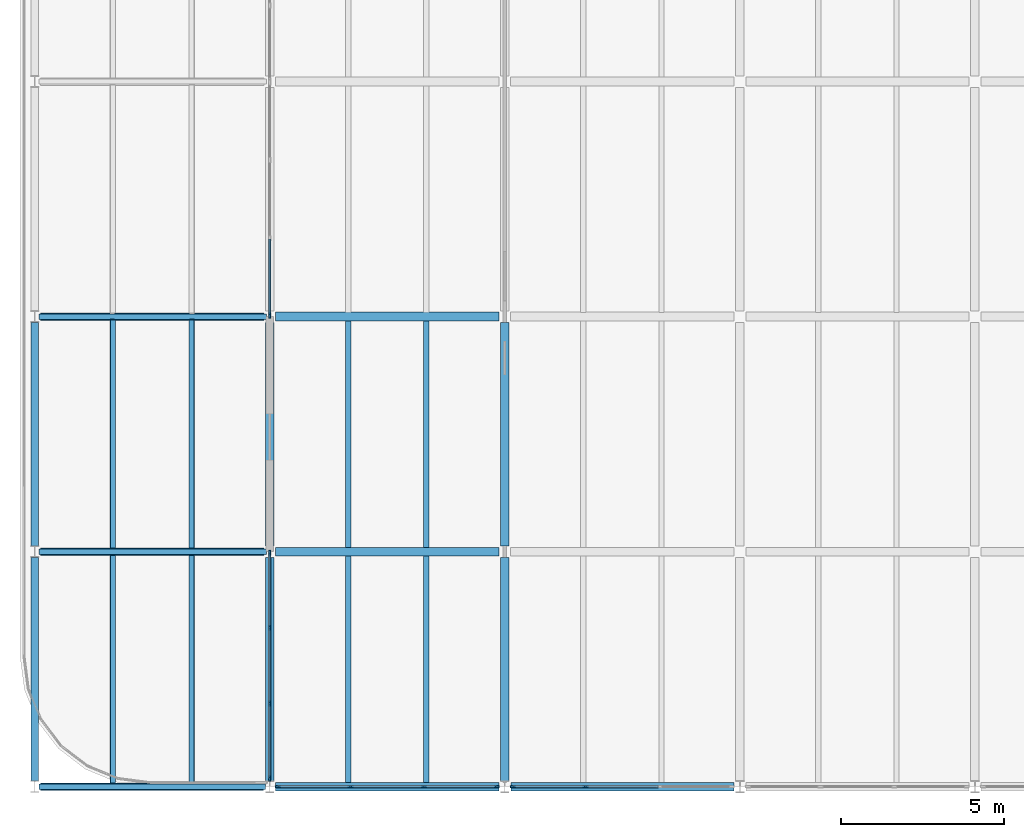
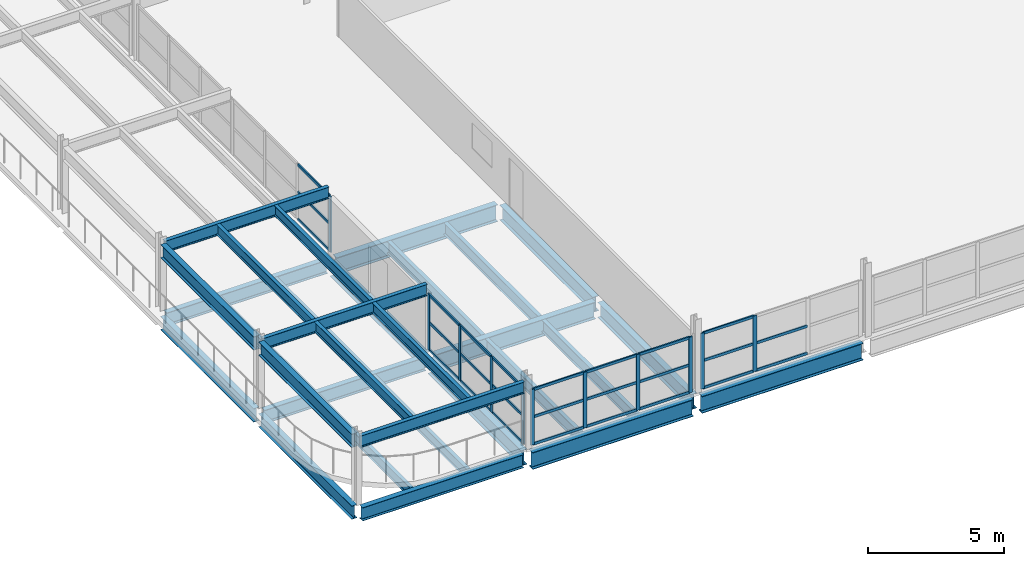
# One storey, part 6 of 25: 37 members, 30 beams, 4 elements without a shape of their own.
"""IFC4 building model written with IfcOpenShell, lengths in metres."""

from ifc_helpers import new_model, si_unit, direction, frame, origin, origin_2d, place, context, subcontext, project, spatial, rectangle, i_section, extrude, material, material_profile, profile_set, type_object, element, aggregate, save


model = new_model("IFC4")

# Units and contexts
model_context = context("Model", 3, precision=1e-05, world=origin(), true_north=direction((0.0, 1.0)))
body_context = subcontext(model_context, "Body", "Model", "MODEL_VIEW")
ifc_project = project(units=[si_unit("LENGTHUNIT", "METRE"), si_unit("AREAUNIT", "SQUARE_METRE"), si_unit("VOLUMEUNIT", "CUBIC_METRE"), si_unit("PLANEANGLEUNIT", "RADIAN"), si_unit("MASSUNIT", "GRAM", prefix="KILO")], contexts=[model_context])

# Site, building, storey
site_placement = place(None, origin())
site = spatial("IfcSite", under=ifc_project, at=site_placement, CompositionType="ELEMENT")
building_placement = place(site_placement, origin())
building = spatial("IfcBuilding", under=site, at=building_placement, Name="Vaelcorin Mobility Hub", CompositionType="ELEMENT")
storey_placement = place(building_placement, frame((0.0, 0.0, 21.0)))
storey = spatial("IfcBuildingStorey", under=building, at=storey_placement, Name="L05", CompositionType="ELEMENT", Elevation=21.0)

# Beams
ifc_material_1 = material(Name="Steel ASTM A992 Grade 50", Category="steel")
ifc_material_profile_1 = material_profile(ifc_material_1, i_section(OverallWidth=0.152099609375, OverallDepth=0.455078125, WebThickness=0.008056640625, FlangeThickness=0.01318359375, FilletRadius=0.012939453125, at=origin_2d()), Name="W18X40")
ifc_profile_set_1 = profile_set([ifc_material_profile_1], Name="Steel ASTM A992 Grade 50")
beam_type_1 = type_object("IfcBeamType", Name="BM-W18X40", PredefinedType="JOIST", material=ifc_profile_set_1)
for number, where, z_axis, x_axis, name in (
    (1, (38.39990234375, 84.112060546875, -0.447021484375), (0.0, 1.0, 0.0), (-1.0, 0.0, 0.0), "L05 Beam V3W-L05-J-01-01-1"),
    (2, (40.800048828125, 84.112060546875, -0.447021484375), (0.0, 1.0, 0.0), (-1.0, 0.0, 0.0), "L05 Beam V3W-L05-J-01-01-2"),
):
    element("IfcBeam", number, at=place(storey_placement, frame(where, z_axis=z_axis, x_axis=x_axis)), inside=storey, type_object=beam_type_1, Name=name, PredefinedType="JOIST", context=body_context, shape_type="SweptSolid", body=[
        extrude(i_section(OverallWidth=0.152099609375, OverallDepth=0.455078125, WebThickness=0.008056640625, FlangeThickness=0.01318359375, FilletRadius=0.012939453125, at=origin_2d()), origin(), (0.0, 0.0, 1.0), 6.975830078125),
    ])
for number, where, z_axis, x_axis, name in (
    (3, (38.39990234375, 91.31201171875, -0.447021484375), (0.0, 1.0, 0.0), (-1.0, 0.0, 0.0), "L05 Beam V3W-L05-J-01-02-1"),
    (4, (40.800048828125, 91.31201171875, -0.447021484375), (0.0, 1.0, 0.0), (-1.0, 0.0, 0.0), "L05 Beam V3W-L05-J-01-02-2"),
):
    element("IfcBeam", number, at=place(storey_placement, frame(where, z_axis=z_axis, x_axis=x_axis)), inside=storey, type_object=beam_type_1, Name=name, PredefinedType="JOIST", context=body_context, shape_type="SweptSolid", body=[
        extrude(i_section(OverallWidth=0.152099609375, OverallDepth=0.455078125, WebThickness=0.008056640625, FlangeThickness=0.01318359375, FilletRadius=0.012939453125, at=origin_2d()), origin(), (0.0, 0.0, 1.0), 6.97607421875),
    ])
for number, where, z_axis, x_axis, name in (
    (5, (38.3759765625, 84.0810546875, 2.77197265625), (0.0, 1.0, 0.0), (-1.0, 0.0, 0.0), "L05 Beam V3-PERG-J-W-01-1"),
    (6, (40.823974609375, 84.0810546875, 2.77197265625), (0.0, 1.0, 0.0), (-1.0, 0.0, 0.0), "L05 Beam V3-PERG-J-W-01-2"),
):
    element("IfcBeam", number, at=place(storey_placement, frame(where, z_axis=z_axis, x_axis=x_axis)), inside=storey, type_object=beam_type_1, Name=name, PredefinedType="JOIST", context=body_context, shape_type="SweptSolid", body=[
        extrude(i_section(OverallWidth=0.152099609375, OverallDepth=0.455078125, WebThickness=0.008056640625, FlangeThickness=0.01318359375, FilletRadius=0.012939453125, at=origin_2d()), origin(), (0.0, 0.0, 1.0), 7.037841796875),
    ])
for number, where, z_axis, x_axis, name in (
    (7, (38.3759765625, 91.281005859375, 2.77197265625), (0.0, 1.0, 0.0), (-1.0, 0.0, 0.0), "L05 Beam V3-PERG-J-W-02-1"),
    (8, (40.823974609375, 91.281005859375, 2.77197265625), (0.0, 1.0, 0.0), (-1.0, 0.0, 0.0), "L05 Beam V3-PERG-J-W-02-2"),
):
    element("IfcBeam", number, at=place(storey_placement, frame(where, z_axis=z_axis, x_axis=x_axis)), inside=storey, type_object=beam_type_1, Name=name, PredefinedType="JOIST", context=body_context, shape_type="SweptSolid", body=[
        extrude(i_section(OverallWidth=0.152099609375, OverallDepth=0.455078125, WebThickness=0.008056640625, FlangeThickness=0.01318359375, FilletRadius=0.012939453125, at=origin_2d()), origin(), (0.0, 0.0, 1.0), 7.0380859375),
    ])
ifc_material_profile_2 = material_profile(ifc_material_1, i_section(OverallWidth=0.166015625, OverallDepth=0.528076171875, WebThickness=0.009765625, FlangeThickness=0.013671875, FilletRadius=0.013916015625, at=origin_2d()), Name="W21X50")
ifc_profile_set_2 = profile_set([ifc_material_profile_2], Name="Steel ASTM A992 Grade 50")
beam_type_2 = type_object("IfcBeamType", Name="BM-W21X50", PredefinedType="JOIST", material=ifc_profile_set_2)
for number, where, z_axis, x_axis, name in (
    (9, (45.60009765625, 84.132080078125, -0.52392578125), (0.0, 1.0, 0.0), (-1.0, 0.0, 0.0), "L05 Beam V3-L05-J-01-01-1"),
    (10, (48.0, 84.132080078125, -0.52392578125), (0.0, 1.0, 0.0), (-1.0, 0.0, 0.0), "L05 Beam V3-L05-J-01-01-2"),
    (11, (45.60009765625, 91.33203125, -0.52392578125), (0.0, 1.0, 0.0), (-1.0, 0.0, 0.0), "L05 Beam V3-L05-J-01-02-1"),
    (12, (48.0, 91.33203125, -0.52392578125), (0.0, 1.0, 0.0), (-1.0, 0.0, 0.0), "L05 Beam V3-L05-J-01-02-2"),
):
    element("IfcBeam", number, at=place(storey_placement, frame(where, z_axis=z_axis, x_axis=x_axis)), inside=storey, type_object=beam_type_2, Name=name, PredefinedType="JOIST", context=body_context, shape_type="SweptSolid", body=[
        extrude(i_section(OverallWidth=0.166015625, OverallDepth=0.528076171875, WebThickness=0.009765625, FlangeThickness=0.013671875, FilletRadius=0.013916015625, at=origin_2d()), origin(), (0.0, 0.0, 1.0), 6.93603515625),
    ])
beam_1_placement = place(storey_placement, frame((36.125, 84.0, 2.736083984375), z_axis=(1.0, 0.0, 0.0), x_axis=(0.0, 1.0, 0.0)))
element("IfcBeam", 13, at=beam_1_placement, inside=storey, type_object=beam_type_2, Name="L05 Beam V3-PERG-GX-01-00", PredefinedType="JOIST", context=body_context, shape_type="SweptSolid", body=[
    extrude(i_section(OverallWidth=0.166015625, OverallDepth=0.528076171875, WebThickness=0.009765625, FlangeThickness=0.013671875, FilletRadius=0.013916015625, at=origin_2d()), origin(), (0.0, 0.0, 1.0), 6.948974609375),
])
for number, where, z_axis, x_axis, name in (
    (14, (36.125, 91.199951171875, 2.736083984375), (1.0, 0.0, 0.0), (0.0, 1.0, 0.0), "L05 Beam V3-PERG-GX-01-01"),
    (15, (36.125, 98.39990234375, 2.736083984375), (1.0, 0.0, 0.0), (0.0, 1.0, 0.0), "L05 Beam V3-PERG-GX-01-02"),
):
    element("IfcBeam", number, at=place(storey_placement, frame(where, z_axis=z_axis, x_axis=x_axis)), inside=storey, type_object=beam_type_2, Name=name, PredefinedType="JOIST", context=body_context, shape_type="SweptSolid", body=[
        extrude(i_section(OverallWidth=0.166015625, OverallDepth=0.528076171875, WebThickness=0.009765625, FlangeThickness=0.013671875, FilletRadius=0.013916015625, at=origin_2d()), origin(), (0.0, 0.0, 1.0), 6.97509765625),
    ])
ifc_material_profile_3 = material_profile(ifc_material_1, i_section(OverallWidth=0.22802734375, OverallDepth=0.60205078125, WebThickness=0.010498046875, FlangeThickness=0.014892578125, FilletRadius=0.014892578125, at=origin_2d()), Name="W24X68")
ifc_profile_set_3 = profile_set([ifc_material_profile_3], Name="Steel ASTM A992 Grade 50")
beam_type_3 = type_object("IfcBeamType", Name="BM-W24X68", PredefinedType="SPANDREL", material=ifc_profile_set_3)
beam_2_placement = place(storey_placement, frame((36.18408203125, 84.0, -0.52099609375), z_axis=(1.0, 0.0, 0.0), x_axis=(0.0, 1.0, 0.0)))
element("IfcBeam", 16, at=beam_2_placement, inside=storey, type_object=beam_type_3, Name="L05 Beam V3W-L05-GX-01-01", PredefinedType="SPANDREL", context=body_context, shape_type="SweptSolid", body=[
    extrude(i_section(OverallWidth=0.22802734375, OverallDepth=0.60205078125, WebThickness=0.010498046875, FlangeThickness=0.014892578125, FilletRadius=0.014892578125, at=origin_2d()), origin(), (0.0, 0.0, 1.0), 6.83203125),
])
beam_3_placement = place(storey_placement, frame((36.0, 84.179931640625, -0.52099609375), z_axis=(0.0, 1.0, 0.0), x_axis=(-1.0, 0.0, 0.0)))
element("IfcBeam", 17, at=beam_3_placement, inside=storey, type_object=beam_type_3, Name="L05 Beam V3W-L05-GY-01-01", PredefinedType="SPANDREL", context=body_context, shape_type="SweptSolid", body=[
    extrude(i_section(OverallWidth=0.22802734375, OverallDepth=0.60205078125, WebThickness=0.010498046875, FlangeThickness=0.014892578125, FilletRadius=0.014892578125, at=origin_2d()), origin(), (0.0, 0.0, 1.0), 6.843994140625),
])
beam_4_placement = place(storey_placement, frame((36.0, 91.3759765625, -0.52099609375), z_axis=(0.0, 1.0, 0.0), x_axis=(-1.0, 0.0, 0.0)))
element("IfcBeam", 18, at=beam_4_placement, inside=storey, type_object=beam_type_3, Name="L05 Beam V3W-L05-GY-01-02", PredefinedType="SPANDREL", context=body_context, shape_type="SweptSolid", body=[
    extrude(i_section(OverallWidth=0.22802734375, OverallDepth=0.60205078125, WebThickness=0.010498046875, FlangeThickness=0.014892578125, FilletRadius=0.014892578125, at=origin_2d()), origin(), (0.0, 0.0, 1.0), 6.84814453125),
])
beam_5_placement = place(storey_placement, frame((36.0, 84.176025390625, 2.698974609375), z_axis=(0.0, 1.0, 0.0), x_axis=(-1.0, 0.0, 0.0)))
element("IfcBeam", 19, at=beam_5_placement, inside=storey, type_object=beam_type_3, Name="L05 Beam V3-PERG-GY-W-01", PredefinedType="SPANDREL", context=body_context, shape_type="SweptSolid", body=[
    extrude(i_section(OverallWidth=0.22802734375, OverallDepth=0.60205078125, WebThickness=0.010498046875, FlangeThickness=0.014892578125, FilletRadius=0.014892578125, at=origin_2d()), origin(), (0.0, 0.0, 1.0), 6.847900390625),
])
beam_6_placement = place(storey_placement, frame((36.0, 91.3759765625, 2.698974609375), z_axis=(0.0, 1.0, 0.0), x_axis=(-1.0, 0.0, 0.0)))
element("IfcBeam", 20, at=beam_6_placement, inside=storey, type_object=beam_type_3, Name="L05 Beam V3-PERG-GY-W-02", PredefinedType="SPANDREL", context=body_context, shape_type="SweptSolid", body=[
    extrude(i_section(OverallWidth=0.22802734375, OverallDepth=0.60205078125, WebThickness=0.010498046875, FlangeThickness=0.014892578125, FilletRadius=0.014892578125, at=origin_2d()), origin(), (0.0, 0.0, 1.0), 6.84814453125),
])
ifc_material_profile_4 = material_profile(ifc_material_1, i_section(OverallWidth=0.22900390625, OverallDepth=0.612060546875, WebThickness=0.011962890625, FlangeThickness=0.01953125, FilletRadius=0.014892578125, at=origin_2d()), Name="W24X84")
ifc_profile_set_4 = profile_set([ifc_material_profile_4], Name="Steel ASTM A992 Grade 50")
beam_type_4 = type_object("IfcBeamType", Name="BM-W24X84", PredefinedType="BEAM", material=ifc_profile_set_4)
for number, where, z_axis, x_axis, name in (
    (21, (36.181884765625, 91.199951171875, -0.52587890625), (1.0, 0.0, 0.0), (0.0, 1.0, 0.0), "L05 Beam V3W-L05-GX-02-01"),
    (22, (36.181884765625, 98.39990234375, -0.52587890625), (1.0, 0.0, 0.0), (0.0, 1.0, 0.0), "L05 Beam V3W-L05-GX-03-01"),
):
    element("IfcBeam", number, at=place(storey_placement, frame(where, z_axis=z_axis, x_axis=x_axis)), inside=storey, type_object=beam_type_4, Name=name, PredefinedType="BEAM", context=body_context, shape_type="SweptSolid", body=[
        extrude(i_section(OverallWidth=0.22900390625, OverallDepth=0.612060546875, WebThickness=0.011962890625, FlangeThickness=0.01953125, FilletRadius=0.014892578125, at=origin_2d()), origin(), (0.0, 0.0, 1.0), 6.836181640625),
    ])
ifc_material_profile_5 = material_profile(ifc_material_1, i_section(OverallWidth=0.25390625, OverallDepth=0.68310546875, WebThickness=0.012451171875, FlangeThickness=0.018798828125, FilletRadius=0.01611328125, at=origin_2d()), Name="W27X94")
ifc_profile_set_5 = profile_set([ifc_material_profile_5], Name="Steel ASTM A992 Grade 50")
beam_type_5 = type_object("IfcBeamType", Name="BM-W27X94", PredefinedType="BEAM", material=ifc_profile_set_5)
beam_7_placement = place(storey_placement, frame((43.199951171875, 84.179931640625, -0.60205078125), z_axis=(0.0, 1.0, 0.0), x_axis=(-1.0, 0.0, 0.0)))
element("IfcBeam", 23, at=beam_7_placement, inside=storey, type_object=beam_type_5, Name="L05 Beam V3-L05-GY-01-01", PredefinedType="BEAM", context=body_context, shape_type="SweptSolid", body=[
    extrude(i_section(OverallWidth=0.25390625, OverallDepth=0.68310546875, WebThickness=0.012451171875, FlangeThickness=0.018798828125, FilletRadius=0.01611328125, at=origin_2d()), origin(), (0.0, 0.0, 1.0), 6.843994140625),
])
beam_8_placement = place(storey_placement, frame((43.199951171875, 91.3759765625, -0.60205078125), z_axis=(0.0, 1.0, 0.0), x_axis=(-1.0, 0.0, 0.0)))
element("IfcBeam", 24, at=beam_8_placement, inside=storey, type_object=beam_type_5, Name="L05 Beam V3-L05-GY-01-02", PredefinedType="BEAM", context=body_context, shape_type="SweptSolid", body=[
    extrude(i_section(OverallWidth=0.25390625, OverallDepth=0.68310546875, WebThickness=0.012451171875, FlangeThickness=0.018798828125, FilletRadius=0.01611328125, at=origin_2d()), origin(), (0.0, 0.0, 1.0), 6.84814453125),
])
beam_9_placement = place(storey_placement, frame((50.39990234375, 84.179931640625, -0.60205078125), z_axis=(0.0, 1.0, 0.0), x_axis=(-1.0, 0.0, 0.0)))
element("IfcBeam", 25, at=beam_9_placement, inside=storey, type_object=beam_type_5, Name="L05 Beam V3-L05-GY-02-01", PredefinedType="BEAM", context=body_context, shape_type="SweptSolid", body=[
    extrude(i_section(OverallWidth=0.25390625, OverallDepth=0.68310546875, WebThickness=0.012451171875, FlangeThickness=0.018798828125, FilletRadius=0.01611328125, at=origin_2d()), origin(), (0.0, 0.0, 1.0), 6.843994140625),
])
beam_10_placement = place(storey_placement, frame((50.39990234375, 91.3759765625, -0.60205078125), z_axis=(0.0, 1.0, 0.0), x_axis=(-1.0, 0.0, 0.0)))
element("IfcBeam", 26, at=beam_10_placement, inside=storey, type_object=beam_type_5, Name="L05 Beam V3-L05-GY-02-02", PredefinedType="BEAM", context=body_context, shape_type="SweptSolid", body=[
    extrude(i_section(OverallWidth=0.25390625, OverallDepth=0.68310546875, WebThickness=0.012451171875, FlangeThickness=0.018798828125, FilletRadius=0.01611328125, at=origin_2d()), origin(), (0.0, 0.0, 1.0), 6.84814453125),
])
ifc_material_profile_6 = material_profile(ifc_material_1, i_section(OverallWidth=0.26708984375, OverallDepth=0.757080078125, WebThickness=0.013916015625, FlangeThickness=0.019287109375, FilletRadius=0.01708984375, at=origin_2d()), Name="W30X108")
ifc_profile_set_6 = profile_set([ifc_material_profile_6], Name="Steel ASTM A992 Grade 50")
beam_type_6 = type_object("IfcBeamType", Name="BM-W30X108", PredefinedType="BEAM", material=ifc_profile_set_6)
for number, where, z_axis, x_axis, name in (
    (27, (43.384033203125, 84.0, -0.637939453125), (1.0, 0.0, 0.0), (0.0, 1.0, 0.0), "L05 Beam V3-L05-GX-01-01"),
    (28, (50.583984375, 84.0, -0.637939453125), (1.0, 0.0, 0.0), (0.0, 1.0, 0.0), "L05 Beam V3-L05-GX-01-02"),
):
    element("IfcBeam", number, at=place(storey_placement, frame(where, z_axis=z_axis, x_axis=x_axis)), inside=storey, type_object=beam_type_6, Name=name, PredefinedType="BEAM", context=body_context, shape_type="SweptSolid", body=[
        extrude(i_section(OverallWidth=0.26708984375, OverallDepth=0.757080078125, WebThickness=0.013916015625, FlangeThickness=0.019287109375, FilletRadius=0.01708984375, at=origin_2d()), origin(), (0.0, 0.0, 1.0), 6.83203125),
    ])
for number, where, z_axis, x_axis, name in (
    (29, (43.382080078125, 91.199951171875, -0.637939453125), (1.0, 0.0, 0.0), (0.0, 1.0, 0.0), "L05 Beam V3-L05-GX-02-01"),
    (30, (43.382080078125, 98.39990234375, -0.637939453125), (1.0, 0.0, 0.0), (0.0, 1.0, 0.0), "L05 Beam V3-L05-GX-03-01"),
):
    element("IfcBeam", number, at=place(storey_placement, frame(where, z_axis=z_axis, x_axis=x_axis)), inside=storey, type_object=beam_type_6, Name=name, PredefinedType="BEAM", context=body_context, shape_type="SweptSolid", body=[
        extrude(i_section(OverallWidth=0.26708984375, OverallDepth=0.757080078125, WebThickness=0.013916015625, FlangeThickness=0.019287109375, FilletRadius=0.01708984375, at=origin_2d()), origin(), (0.0, 0.0, 1.0), 6.8359375),
    ])

# Curtain wall, members
ifc_material_2 = material(Name="Anodised aluminium 6063-T6", Category="aluminium")
curtain_wall_type = type_object("IfcCurtainWallType", Name="CW-SPT-A", PredefinedType="NOTDEFINED", material=ifc_material_2)
curtain_wall_1_placement = place(storey_placement, origin())
curtain_wall_1 = element("IfcCurtainWall", 31, at=curtain_wall_1_placement, inside=storey, type_object=curtain_wall_type, Name="L05 Curtain Wall CW-V3-S-01", PredefinedType="NOTDEFINED")
ifc_material_profile_7 = material_profile(ifc_material_2, rectangle(XDim=0.06005859375, YDim=0.159912109375, at=origin_2d()), Name="ALU-M60X160")
ifc_profile_set_7 = profile_set([ifc_material_profile_7], Name="Anodised aluminium 6063-T6")
member_type_1 = type_object("IfcMemberType", Name="CW-MULL-160", PredefinedType="MULLION", material=ifc_profile_set_7)
member_1_placement = place(storey_placement, frame((50.14990234375, 84.0, 0.0), z_axis=(0.0, 0.0, 1.0), x_axis=(0.0, -1.0, 0.0)))
member_1 = element("IfcMember", 32, at=member_1_placement, type_object=member_type_1, Name="CW5 mullion 1", PredefinedType="MULLION", context=body_context, shape_type="SweptSolid", body=[
    extrude(rectangle(XDim=0.06005859375, YDim=0.159912109375, at=origin_2d()), origin(), (0.0, 0.0, 1.0), 2.5),
])
member_2_placement = place(storey_placement, frame((47.9267578125, 84.0, 0.0), z_axis=(0.0, 0.0, 1.0), x_axis=(0.0, -1.0, 0.0)))
member_2 = element("IfcMember", 33, at=member_2_placement, type_object=member_type_1, Name="CW5 mullion 2", PredefinedType="MULLION", context=body_context, shape_type="SweptSolid", body=[
    extrude(rectangle(XDim=0.06005859375, YDim=0.159912109375, at=origin_2d()), origin(), (0.0, 0.0, 1.0), 2.5),
])
member_3_placement = place(storey_placement, frame((45.67333984375, 84.0, 0.0), z_axis=(0.0, 0.0, 1.0), x_axis=(0.0, -1.0, 0.0)))
member_3 = element("IfcMember", 34, at=member_3_placement, type_object=member_type_1, Name="CW5 mullion 3", PredefinedType="MULLION", context=body_context, shape_type="SweptSolid", body=[
    extrude(rectangle(XDim=0.06005859375, YDim=0.159912109375, at=origin_2d()), origin(), (0.0, 0.0, 1.0), 2.5),
])
member_4_placement = place(storey_placement, frame((43.449951171875, 84.0, 0.0), z_axis=(0.0, 0.0, 1.0), x_axis=(0.0, -1.0, 0.0)))
member_4 = element("IfcMember", 35, at=member_4_placement, type_object=member_type_1, Name="CW5 mullion 4", PredefinedType="MULLION", context=body_context, shape_type="SweptSolid", body=[
    extrude(rectangle(XDim=0.06005859375, YDim=0.159912109375, at=origin_2d()), origin(), (0.0, 0.0, 1.0), 2.5),
])

curtain_wall_2_placement = place(storey_placement, origin())
curtain_wall_2 = element("IfcCurtainWall", 36, at=curtain_wall_2_placement, inside=storey, type_object=curtain_wall_type, Name="L05 Curtain Wall CW-V3-S-02", PredefinedType="NOTDEFINED")
member_5_placement = place(storey_placement, frame((52.873291015625, 84.0, 0.0), z_axis=(0.0, 0.0, 1.0), x_axis=(0.0, -1.0, 0.0)))
member_5 = element("IfcMember", 37, at=member_5_placement, type_object=member_type_1, Name="CW5 mullion 3", PredefinedType="MULLION", context=body_context, shape_type="SweptSolid", body=[
    extrude(rectangle(XDim=0.06005859375, YDim=0.159912109375, at=origin_2d()), origin(), (0.0, 0.0, 1.0), 2.5),
])
member_6_placement = place(storey_placement, frame((50.64990234375, 84.0, 0.0), z_axis=(0.0, 0.0, 1.0), x_axis=(0.0, -1.0, 0.0)))
member_6 = element("IfcMember", 38, at=member_6_placement, type_object=member_type_1, Name="CW5 mullion 4", PredefinedType="MULLION", context=body_context, shape_type="SweptSolid", body=[
    extrude(rectangle(XDim=0.06005859375, YDim=0.159912109375, at=origin_2d()), origin(), (0.0, 0.0, 1.0), 2.5),
])

curtain_wall_3_placement = place(storey_placement, origin())
curtain_wall_3 = element("IfcCurtainWall", 39, at=curtain_wall_3_placement, inside=storey, type_object=curtain_wall_type, Name="L05 Curtain Wall CW-V3-W-01", PredefinedType="NOTDEFINED")
member_7_placement = place(storey_placement, frame((43.199951171875, 84.25, 0.0), z_axis=(0.0, 0.0, 1.0), x_axis=(-1.0, 0.0, 0.0)))
member_7 = element("IfcMember", 40, at=member_7_placement, type_object=member_type_1, Name="CW5 mullion 1", PredefinedType="MULLION", context=body_context, shape_type="SweptSolid", body=[
    extrude(rectangle(XDim=0.06005859375, YDim=0.159912109375, at=origin_2d()), origin(), (0.0, 0.0, 1.0), 2.5),
])
member_8_placement = place(storey_placement, frame((43.199951171875, 86.5458984375, 0.0), z_axis=(0.0, 0.0, 1.0), x_axis=(-1.0, 0.0, 0.0)))
member_8 = element("IfcMember", 41, at=member_8_placement, type_object=member_type_1, Name="CW5 mullion 2", PredefinedType="MULLION", context=body_context, shape_type="SweptSolid", body=[
    extrude(rectangle(XDim=0.06005859375, YDim=0.159912109375, at=origin_2d()), origin(), (0.0, 0.0, 1.0), 2.5),
])
member_9_placement = place(storey_placement, frame((43.199951171875, 88.8720703125, 0.0), z_axis=(0.0, 0.0, 1.0), x_axis=(-1.0, 0.0, 0.0)))
member_9 = element("IfcMember", 42, at=member_9_placement, type_object=member_type_1, Name="CW5 mullion 3", PredefinedType="MULLION", context=body_context, shape_type="SweptSolid", body=[
    extrude(rectangle(XDim=0.06005859375, YDim=0.159912109375, at=origin_2d()), origin(), (0.0, 0.0, 1.0), 2.5),
])
member_10_placement = place(storey_placement, frame((43.199951171875, 91.16796875, 0.0), z_axis=(0.0, 0.0, 1.0), x_axis=(-1.0, 0.0, 0.0)))
member_10 = element("IfcMember", 43, at=member_10_placement, type_object=member_type_1, Name="CW5 mullion 4", PredefinedType="MULLION", context=body_context, shape_type="SweptSolid", body=[
    extrude(rectangle(XDim=0.06005859375, YDim=0.159912109375, at=origin_2d()), origin(), (0.0, 0.0, 1.0), 2.5),
])

# Curtain wall, member
curtain_wall_4_placement = place(storey_placement, origin())
curtain_wall_4 = element("IfcCurtainWall", 44, at=curtain_wall_4_placement, inside=storey, type_object=curtain_wall_type, Name="L05 Curtain Wall CW-V3-W-03", PredefinedType="NOTDEFINED")
member_11_placement = place(storey_placement, frame((43.199951171875, 98.431884765625, 0.0), z_axis=(0.0, 0.0, 1.0), x_axis=(-1.0, 0.0, 0.0)))
member_11 = element("IfcMember", 45, at=member_11_placement, type_object=member_type_1, Name="CW5 mullion 1", PredefinedType="MULLION", context=body_context, shape_type="SweptSolid", body=[
    extrude(rectangle(XDim=0.06005859375, YDim=0.159912109375, at=origin_2d()), origin(), (0.0, 0.0, 1.0), 2.5),
])

# Member
ifc_material_profile_8 = material_profile(ifc_material_2, rectangle(XDim=0.06005859375, YDim=0.1201171875, at=origin_2d()), Name="ALU-T60X120")
ifc_profile_set_8 = profile_set([ifc_material_profile_8], Name="Anodised aluminium 6063-T6")
member_type_2 = type_object("IfcMemberType", Name="CW-TRAN-140", PredefinedType="USERDEFINED", material=ifc_profile_set_8)
member_12_placement = place(storey_placement, frame((50.1201171875, 84.0, 0.030029296875), z_axis=(-1.0, 0.0, 0.0), x_axis=(0.0, -1.0, 0.0)))
member_12 = element("IfcMember", 46, at=member_12_placement, type_object=member_type_2, Name="CW5 transom 1.1", ObjectType="TRANSOM", PredefinedType="USERDEFINED", context=body_context, shape_type="SweptSolid", body=[
    extrude(rectangle(XDim=0.06005859375, YDim=0.1201171875, at=origin_2d()), origin(), (0.0, 0.0, 1.0), 2.163330078125),
])

member_13_placement = place(storey_placement, frame((50.1201171875, 84.0, 1.25), z_axis=(-1.0, 0.0, 0.0), x_axis=(0.0, -1.0, 0.0)))
member_13 = element("IfcMember", 47, at=member_13_placement, type_object=member_type_2, Name="CW5 transom 1.2", ObjectType="TRANSOM", PredefinedType="USERDEFINED", context=body_context, shape_type="SweptSolid", body=[
    extrude(rectangle(XDim=0.06005859375, YDim=0.1201171875, at=origin_2d()), origin(), (0.0, 0.0, 1.0), 2.163330078125),
])

member_14_placement = place(storey_placement, frame((50.1201171875, 84.0, 2.469970703125), z_axis=(-1.0, 0.0, 0.0), x_axis=(0.0, -1.0, 0.0)))
member_14 = element("IfcMember", 48, at=member_14_placement, type_object=member_type_2, Name="CW5 transom 1.3", ObjectType="TRANSOM", PredefinedType="USERDEFINED", context=body_context, shape_type="SweptSolid", body=[
    extrude(rectangle(XDim=0.06005859375, YDim=0.1201171875, at=origin_2d()), origin(), (0.0, 0.0, 1.0), 2.163330078125),
])

member_15_placement = place(storey_placement, frame((47.896728515625, 84.0, 0.030029296875), z_axis=(-1.0, 0.0, 0.0), x_axis=(0.0, -1.0, 0.0)))
member_15 = element("IfcMember", 49, at=member_15_placement, type_object=member_type_2, Name="CW5 transom 2.1", ObjectType="TRANSOM", PredefinedType="USERDEFINED", context=body_context, shape_type="SweptSolid", body=[
    extrude(rectangle(XDim=0.06005859375, YDim=0.1201171875, at=origin_2d()), origin(), (0.0, 0.0, 1.0), 2.193359375),
])

member_16_placement = place(storey_placement, frame((47.896728515625, 84.0, 1.25), z_axis=(-1.0, 0.0, 0.0), x_axis=(0.0, -1.0, 0.0)))
member_16 = element("IfcMember", 50, at=member_16_placement, type_object=member_type_2, Name="CW5 transom 2.2", ObjectType="TRANSOM", PredefinedType="USERDEFINED", context=body_context, shape_type="SweptSolid", body=[
    extrude(rectangle(XDim=0.06005859375, YDim=0.1201171875, at=origin_2d()), origin(), (0.0, 0.0, 1.0), 2.193359375),
])

member_17_placement = place(storey_placement, frame((47.896728515625, 84.0, 2.469970703125), z_axis=(-1.0, 0.0, 0.0), x_axis=(0.0, -1.0, 0.0)))
member_17 = element("IfcMember", 51, at=member_17_placement, type_object=member_type_2, Name="CW5 transom 2.3", ObjectType="TRANSOM", PredefinedType="USERDEFINED", context=body_context, shape_type="SweptSolid", body=[
    extrude(rectangle(XDim=0.06005859375, YDim=0.1201171875, at=origin_2d()), origin(), (0.0, 0.0, 1.0), 2.193359375),
])

member_18_placement = place(storey_placement, frame((45.643310546875, 84.0, 0.030029296875), z_axis=(-1.0, 0.0, 0.0), x_axis=(0.0, -1.0, 0.0)))
member_18 = element("IfcMember", 52, at=member_18_placement, type_object=member_type_2, Name="CW5 transom 3.1", ObjectType="TRANSOM", PredefinedType="USERDEFINED", context=body_context, shape_type="SweptSolid", body=[
    extrude(rectangle(XDim=0.06005859375, YDim=0.1201171875, at=origin_2d()), origin(), (0.0, 0.0, 1.0), 2.163330078125),
])

member_19_placement = place(storey_placement, frame((45.643310546875, 84.0, 1.25), z_axis=(-1.0, 0.0, 0.0), x_axis=(0.0, -1.0, 0.0)))
member_19 = element("IfcMember", 53, at=member_19_placement, type_object=member_type_2, Name="CW5 transom 3.2", ObjectType="TRANSOM", PredefinedType="USERDEFINED", context=body_context, shape_type="SweptSolid", body=[
    extrude(rectangle(XDim=0.06005859375, YDim=0.1201171875, at=origin_2d()), origin(), (0.0, 0.0, 1.0), 2.163330078125),
])

member_20_placement = place(storey_placement, frame((45.643310546875, 84.0, 2.469970703125), z_axis=(-1.0, 0.0, 0.0), x_axis=(0.0, -1.0, 0.0)))
member_20 = element("IfcMember", 54, at=member_20_placement, type_object=member_type_2, Name="CW5 transom 3.3", ObjectType="TRANSOM", PredefinedType="USERDEFINED", context=body_context, shape_type="SweptSolid", body=[
    extrude(rectangle(XDim=0.06005859375, YDim=0.1201171875, at=origin_2d()), origin(), (0.0, 0.0, 1.0), 2.163330078125),
])

aggregate(curtain_wall_1, [member_1, member_2, member_3, member_4, member_12, member_13, member_14, member_15, member_16, member_17, member_18, member_19, member_20])

member_21_placement = place(storey_placement, frame((55.0966796875, 84.0, 0.030029296875), z_axis=(-1.0, 0.0, 0.0), x_axis=(0.0, -1.0, 0.0)))
member_21 = element("IfcMember", 55, at=member_21_placement, type_object=member_type_2, Name="CW5 transom 2.1", ObjectType="TRANSOM", PredefinedType="USERDEFINED", context=body_context, shape_type="SweptSolid", body=[
    extrude(rectangle(XDim=0.06005859375, YDim=0.1201171875, at=origin_2d()), origin(), (0.0, 0.0, 1.0), 2.193359375),
])

member_22_placement = place(storey_placement, frame((55.0966796875, 84.0, 1.25), z_axis=(-1.0, 0.0, 0.0), x_axis=(0.0, -1.0, 0.0)))
member_22 = element("IfcMember", 56, at=member_22_placement, type_object=member_type_2, Name="CW5 transom 2.2", ObjectType="TRANSOM", PredefinedType="USERDEFINED", context=body_context, shape_type="SweptSolid", body=[
    extrude(rectangle(XDim=0.06005859375, YDim=0.1201171875, at=origin_2d()), origin(), (0.0, 0.0, 1.0), 2.193359375),
])

member_23_placement = place(storey_placement, frame((52.84326171875, 84.0, 0.030029296875), z_axis=(-1.0, 0.0, 0.0), x_axis=(0.0, -1.0, 0.0)))
member_23 = element("IfcMember", 57, at=member_23_placement, type_object=member_type_2, Name="CW5 transom 3.1", ObjectType="TRANSOM", PredefinedType="USERDEFINED", context=body_context, shape_type="SweptSolid", body=[
    extrude(rectangle(XDim=0.06005859375, YDim=0.1201171875, at=origin_2d()), origin(), (0.0, 0.0, 1.0), 2.163330078125),
])

member_24_placement = place(storey_placement, frame((52.84326171875, 84.0, 1.25), z_axis=(-1.0, 0.0, 0.0), x_axis=(0.0, -1.0, 0.0)))
member_24 = element("IfcMember", 58, at=member_24_placement, type_object=member_type_2, Name="CW5 transom 3.2", ObjectType="TRANSOM", PredefinedType="USERDEFINED", context=body_context, shape_type="SweptSolid", body=[
    extrude(rectangle(XDim=0.06005859375, YDim=0.1201171875, at=origin_2d()), origin(), (0.0, 0.0, 1.0), 2.163330078125),
])

member_25_placement = place(storey_placement, frame((52.84326171875, 84.0, 2.469970703125), z_axis=(-1.0, 0.0, 0.0), x_axis=(0.0, -1.0, 0.0)))
member_25 = element("IfcMember", 59, at=member_25_placement, type_object=member_type_2, Name="CW5 transom 3.3", ObjectType="TRANSOM", PredefinedType="USERDEFINED", context=body_context, shape_type="SweptSolid", body=[
    extrude(rectangle(XDim=0.06005859375, YDim=0.1201171875, at=origin_2d()), origin(), (0.0, 0.0, 1.0), 2.163330078125),
])

aggregate(curtain_wall_2, [member_5, member_6, member_21, member_22, member_23, member_24, member_25])

member_26_placement = place(storey_placement, frame((43.199951171875, 84.280029296875, 0.030029296875), z_axis=(0.0, 1.0, 0.0), x_axis=(-1.0, 0.0, 0.0)))
member_26 = element("IfcMember", 60, at=member_26_placement, type_object=member_type_2, Name="CW5 transom 1.1", ObjectType="TRANSOM", PredefinedType="USERDEFINED", context=body_context, shape_type="SweptSolid", body=[
    extrude(rectangle(XDim=0.06005859375, YDim=0.1201171875, at=origin_2d()), origin(), (0.0, 0.0, 1.0), 2.236083984375),
])

member_27_placement = place(storey_placement, frame((43.199951171875, 84.280029296875, 1.25), z_axis=(0.0, 1.0, 0.0), x_axis=(-1.0, 0.0, 0.0)))
member_27 = element("IfcMember", 61, at=member_27_placement, type_object=member_type_2, Name="CW5 transom 1.2", ObjectType="TRANSOM", PredefinedType="USERDEFINED", context=body_context, shape_type="SweptSolid", body=[
    extrude(rectangle(XDim=0.06005859375, YDim=0.1201171875, at=origin_2d()), origin(), (0.0, 0.0, 1.0), 2.236083984375),
])

member_28_placement = place(storey_placement, frame((43.199951171875, 84.280029296875, 2.469970703125), z_axis=(0.0, 1.0, 0.0), x_axis=(-1.0, 0.0, 0.0)))
member_28 = element("IfcMember", 62, at=member_28_placement, type_object=member_type_2, Name="CW5 transom 1.3", ObjectType="TRANSOM", PredefinedType="USERDEFINED", context=body_context, shape_type="SweptSolid", body=[
    extrude(rectangle(XDim=0.06005859375, YDim=0.1201171875, at=origin_2d()), origin(), (0.0, 0.0, 1.0), 2.236083984375),
])

member_29_placement = place(storey_placement, frame((43.199951171875, 86.575927734375, 0.030029296875), z_axis=(0.0, 1.0, 0.0), x_axis=(-1.0, 0.0, 0.0)))
member_29 = element("IfcMember", 63, at=member_29_placement, type_object=member_type_2, Name="CW5 transom 2.1", ObjectType="TRANSOM", PredefinedType="USERDEFINED", context=body_context, shape_type="SweptSolid", body=[
    extrude(rectangle(XDim=0.06005859375, YDim=0.1201171875, at=origin_2d()), origin(), (0.0, 0.0, 1.0), 2.26611328125),
])

member_30_placement = place(storey_placement, frame((43.199951171875, 86.575927734375, 1.25), z_axis=(0.0, 1.0, 0.0), x_axis=(-1.0, 0.0, 0.0)))
member_30 = element("IfcMember", 64, at=member_30_placement, type_object=member_type_2, Name="CW5 transom 2.2", ObjectType="TRANSOM", PredefinedType="USERDEFINED", context=body_context, shape_type="SweptSolid", body=[
    extrude(rectangle(XDim=0.06005859375, YDim=0.1201171875, at=origin_2d()), origin(), (0.0, 0.0, 1.0), 2.26611328125),
])

member_31_placement = place(storey_placement, frame((43.199951171875, 86.575927734375, 2.469970703125), z_axis=(0.0, 1.0, 0.0), x_axis=(-1.0, 0.0, 0.0)))
member_31 = element("IfcMember", 65, at=member_31_placement, type_object=member_type_2, Name="CW5 transom 2.3", ObjectType="TRANSOM", PredefinedType="USERDEFINED", context=body_context, shape_type="SweptSolid", body=[
    extrude(rectangle(XDim=0.06005859375, YDim=0.1201171875, at=origin_2d()), origin(), (0.0, 0.0, 1.0), 2.26611328125),
])

member_32_placement = place(storey_placement, frame((43.199951171875, 88.902099609375, 0.030029296875), z_axis=(0.0, 1.0, 0.0), x_axis=(-1.0, 0.0, 0.0)))
member_32 = element("IfcMember", 66, at=member_32_placement, type_object=member_type_2, Name="CW5 transom 3.1", ObjectType="TRANSOM", PredefinedType="USERDEFINED", context=body_context, shape_type="SweptSolid", body=[
    extrude(rectangle(XDim=0.06005859375, YDim=0.1201171875, at=origin_2d()), origin(), (0.0, 0.0, 1.0), 2.23583984375),
])

member_33_placement = place(storey_placement, frame((43.199951171875, 88.902099609375, 1.25), z_axis=(0.0, 1.0, 0.0), x_axis=(-1.0, 0.0, 0.0)))
member_33 = element("IfcMember", 67, at=member_33_placement, type_object=member_type_2, Name="CW5 transom 3.2", ObjectType="TRANSOM", PredefinedType="USERDEFINED", context=body_context, shape_type="SweptSolid", body=[
    extrude(rectangle(XDim=0.06005859375, YDim=0.1201171875, at=origin_2d()), origin(), (0.0, 0.0, 1.0), 2.23583984375),
])

member_34_placement = place(storey_placement, frame((43.199951171875, 88.902099609375, 2.469970703125), z_axis=(0.0, 1.0, 0.0), x_axis=(-1.0, 0.0, 0.0)))
member_34 = element("IfcMember", 68, at=member_34_placement, type_object=member_type_2, Name="CW5 transom 3.3", ObjectType="TRANSOM", PredefinedType="USERDEFINED", context=body_context, shape_type="SweptSolid", body=[
    extrude(rectangle(XDim=0.06005859375, YDim=0.1201171875, at=origin_2d()), origin(), (0.0, 0.0, 1.0), 2.23583984375),
])

aggregate(curtain_wall_3, [member_7, member_8, member_9, member_10, member_26, member_27, member_28, member_29, member_30, member_31, member_32, member_33, member_34])

member_35_placement = place(storey_placement, frame((43.199951171875, 98.4619140625, 0.030029296875), z_axis=(0.0, 1.0, 0.0), x_axis=(-1.0, 0.0, 0.0)))
member_35 = element("IfcMember", 69, at=member_35_placement, type_object=member_type_2, Name="CW5 transom 1.1", ObjectType="TRANSOM", PredefinedType="USERDEFINED", context=body_context, shape_type="SweptSolid", body=[
    extrude(rectangle(XDim=0.06005859375, YDim=0.1201171875, at=origin_2d()), origin(), (0.0, 0.0, 1.0), 2.308837890625),
])

member_36_placement = place(storey_placement, frame((43.199951171875, 98.4619140625, 1.25), z_axis=(0.0, 1.0, 0.0), x_axis=(-1.0, 0.0, 0.0)))
member_36 = element("IfcMember", 70, at=member_36_placement, type_object=member_type_2, Name="CW5 transom 1.2", ObjectType="TRANSOM", PredefinedType="USERDEFINED", context=body_context, shape_type="SweptSolid", body=[
    extrude(rectangle(XDim=0.06005859375, YDim=0.1201171875, at=origin_2d()), origin(), (0.0, 0.0, 1.0), 2.308837890625),
])

member_37_placement = place(storey_placement, frame((43.199951171875, 98.4619140625, 2.469970703125), z_axis=(0.0, 1.0, 0.0), x_axis=(-1.0, 0.0, 0.0)))
member_37 = element("IfcMember", 71, at=member_37_placement, type_object=member_type_2, Name="CW5 transom 1.3", ObjectType="TRANSOM", PredefinedType="USERDEFINED", context=body_context, shape_type="SweptSolid", body=[
    extrude(rectangle(XDim=0.06005859375, YDim=0.1201171875, at=origin_2d()), origin(), (0.0, 0.0, 1.0), 2.308837890625),
])

aggregate(curtain_wall_4, [member_11, member_35, member_36, member_37])

save(model, "model.ifc")
